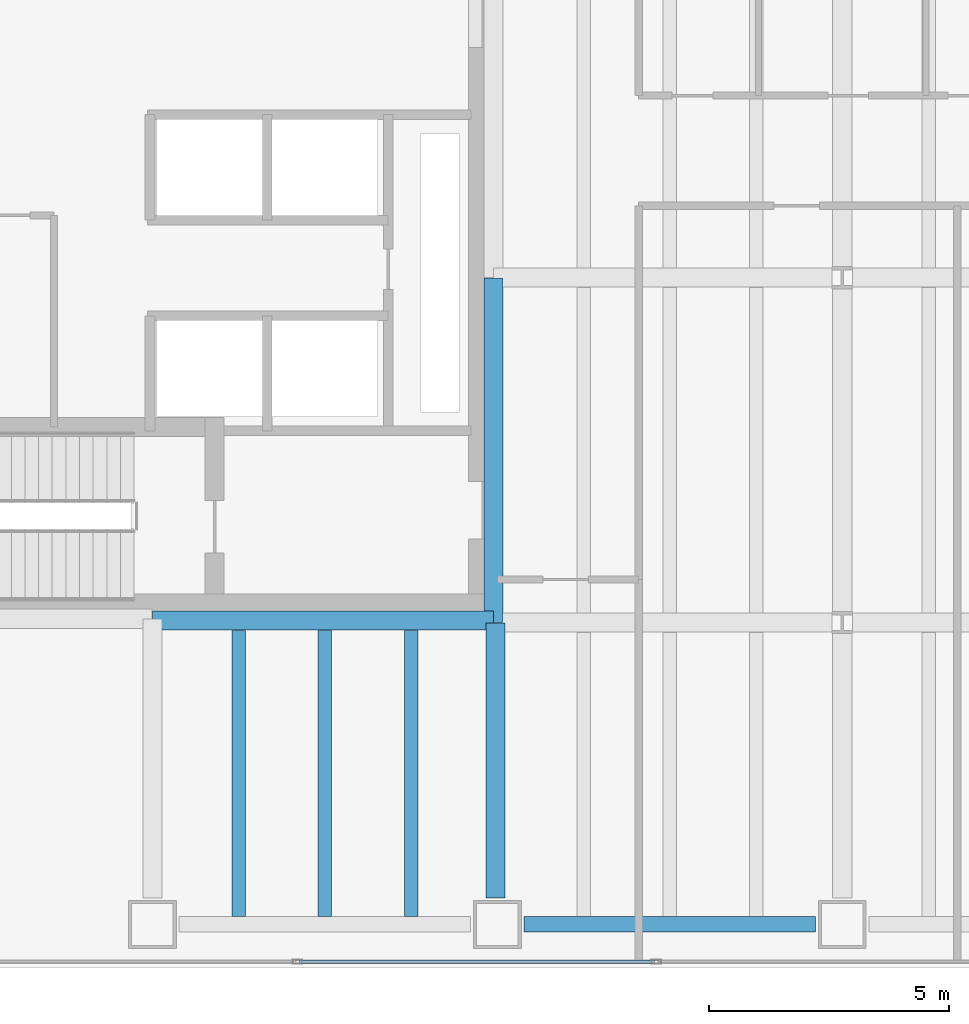
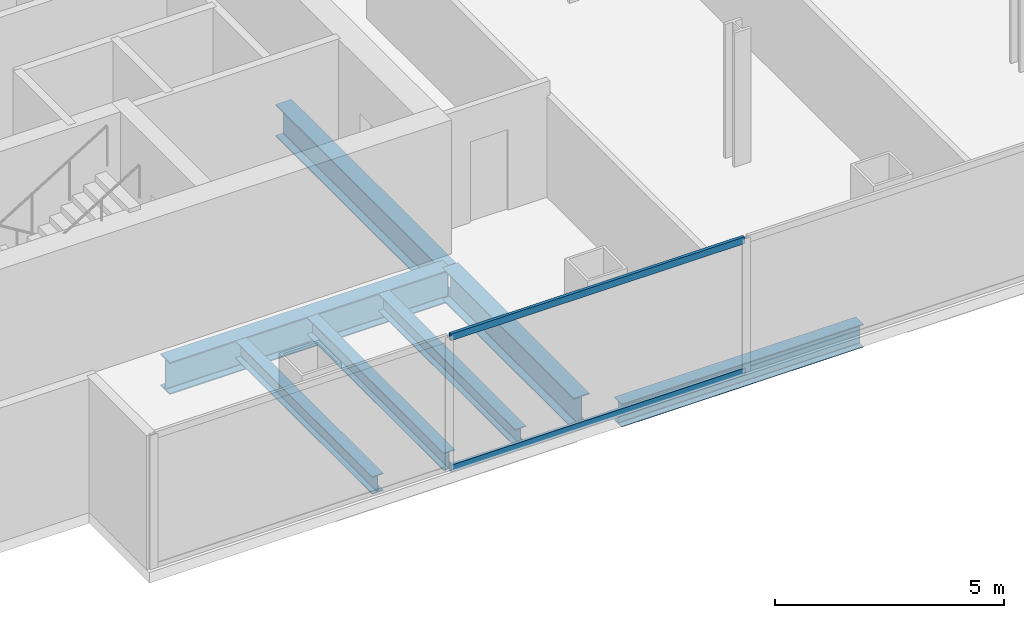
# One storey, part 3 of 25: 7 beams, 2 members, 1 element without a shape of its own.
"""IFC4 building model written with IfcOpenShell, lengths in metres."""

from ifc_helpers import new_model, si_unit, direction, frame, origin, origin_2d, place, context, subcontext, project, spatial, hollow_rectangle, i_section, extrude, material, material_profile, profile_set, type_object, element, aggregate, save


model = new_model("IFC4")

# Units and contexts
model_context = context("Model", 3, precision=1e-05, world=origin(), true_north=direction((0.0, 1.0)))
body_context = subcontext(model_context, "Body", "Model", "MODEL_VIEW")
ifc_project = project(units=[si_unit("LENGTHUNIT", "METRE"), si_unit("AREAUNIT", "SQUARE_METRE"), si_unit("VOLUMEUNIT", "CUBIC_METRE"), si_unit("PLANEANGLEUNIT", "RADIAN"), si_unit("MASSUNIT", "GRAM", prefix="KILO")], contexts=[model_context])

# Site, building, storey
site_placement = place(None, origin())
site = spatial("IfcSite", under=ifc_project, at=site_placement, CompositionType="ELEMENT")
building_placement = place(site_placement, origin())
building = spatial("IfcBuilding", under=site, at=building_placement, Name="Cobrela Telecom Tower", CompositionType="ELEMENT")
storey_placement = place(building_placement, frame((0.0, 0.0, 46.550048828125)))
storey = spatial("IfcBuildingStorey", under=building, at=storey_placement, Name="L11", CompositionType="ELEMENT", Elevation=46.550048828125)

# Beams
ifc_material_1 = material(Name="Steel ASTM A992 Grade 50", Category="steel")
ifc_material_profile_1 = material_profile(ifc_material_1, i_section(OverallWidth=0.39892578125, OverallDepth=0.85595703125, WebThickness=0.018310546875, FlangeThickness=0.029296875, FilletRadius=0.02001953125, at=origin_2d()), Name="W33X201")
ifc_profile_set_1 = profile_set([ifc_material_profile_1], Name="Steel ASTM A992 Grade 50")
beam_type_1 = type_object("IfcBeamType", Name="BM-GIRD-03", PredefinedType="USERDEFINED", material=ifc_profile_set_1)
beam_1_placement = place(storey_placement, frame((7.205078125, 7.239990234375, -0.7080078125), z_axis=(1.0, 0.0, 0.0), x_axis=(0.0, 1.0, 0.0)))
element("IfcBeam", 1, at=beam_1_placement, inside=storey, type_object=beam_type_1, Name="L11 Primary Girder X07", ObjectType="GIRDER", PredefinedType="USERDEFINED", context=body_context, shape_type="SweptSolid", body=[
    extrude(i_section(OverallWidth=0.39892578125, OverallDepth=0.85595703125, WebThickness=0.018310546875, FlangeThickness=0.029296875, FilletRadius=0.02001953125, at=origin_2d()), origin(), (0.0, 0.0, 1.0), 7.10986328125),
])
beam_2_placement = place(storey_placement, frame((14.360107421875, 1.455078125, -0.7080078125), z_axis=(0.0, 1.0, 0.0), x_axis=(-1.0, 0.0, 0.0)))
element("IfcBeam", 2, at=beam_2_placement, inside=storey, type_object=beam_type_1, Name="L11 Primary Girder Y34", ObjectType="GIRDER", PredefinedType="USERDEFINED", context=body_context, shape_type="SweptSolid", body=[
    extrude(i_section(OverallWidth=0.39892578125, OverallDepth=0.85595703125, WebThickness=0.018310546875, FlangeThickness=0.029296875, FilletRadius=0.02001953125, at=origin_2d()), origin(), (0.0, 0.0, 1.0), 5.739990234375),
])
beam_3_placement = place(storey_placement, frame((14.320068359375, 7.205078125, -0.7080078125), z_axis=(0.0, 1.0, 0.0), x_axis=(-1.0, 0.0, 0.0)))
element("IfcBeam", 3, at=beam_3_placement, inside=storey, type_object=beam_type_1, Name="L11 Primary Girder Y35", ObjectType="GIRDER", PredefinedType="USERDEFINED", context=body_context, shape_type="SweptSolid", body=[
    extrude(i_section(OverallWidth=0.39892578125, OverallDepth=0.85595703125, WebThickness=0.018310546875, FlangeThickness=0.029296875, FilletRadius=0.02001953125, at=origin_2d()), origin(), (0.0, 0.0, 1.0), 7.18994140625),
])
ifc_material_profile_2 = material_profile(ifc_material_1, i_section(OverallWidth=0.281982421875, OverallDepth=0.467041015625, WebThickness=0.01220703125, FlangeThickness=0.01953125, FilletRadius=0.012939453125, at=origin_2d()), Name="W18X86")
ifc_profile_set_2 = profile_set([ifc_material_profile_2], Name="Steel ASTM A992 Grade 50")
beam_type_2 = type_object("IfcBeamType", Name="BM-JOIST-02", PredefinedType="JOIST", material=ifc_profile_set_2)
for number, where, z_axis, x_axis, name in (
    (4, (9.0, 1.0673828125, -0.513427734375), (0.0, 1.0, 0.0), (-1.0, 0.0, 0.0), "L11 Secondary Composite Floor Beam J01"),
    (5, (10.800048828125, 1.0673828125, -0.513427734375), (0.0, 1.0, 0.0), (-1.0, 0.0, 0.0), "L11 Secondary Composite Floor Beam J03"),
    (6, (12.60009765625, 1.0673828125, -0.513427734375), (0.0, 1.0, 0.0), (-1.0, 0.0, 0.0), "L11 Secondary Composite Floor Beam J05"),
):
    element("IfcBeam", number, at=place(storey_placement, frame(where, z_axis=z_axis, x_axis=x_axis)), inside=storey, type_object=beam_type_2, Name=name, PredefinedType="JOIST", context=body_context, shape_type="SweptSolid", body=[
        extrude(i_section(OverallWidth=0.281982421875, OverallDepth=0.467041015625, WebThickness=0.01220703125, FlangeThickness=0.01953125, FilletRadius=0.012939453125, at=origin_2d()), origin(), (0.0, 0.0, 1.0), 5.968017578125),
    ])
ifc_material_profile_3 = material_profile(ifc_material_1, i_section(OverallWidth=0.324951171875, OverallDepth=0.612060546875, WebThickness=0.0126953125, FlangeThickness=0.01904296875, FilletRadius=0.014892578125, at=origin_2d()), Name="W24X104")
ifc_profile_set_3 = profile_set([ifc_material_profile_3], Name="Steel ASTM A992 Grade 50")
beam_type_3 = type_object("IfcBeamType", Name="BM-SPAND-02", PredefinedType="SPANDREL", material=ifc_profile_set_3)
beam_4_placement = place(storey_placement, frame((14.955078125, 0.89990234375, -0.5859375), z_axis=(1.0, 0.0, 0.0), x_axis=(0.0, 1.0, 0.0)))
element("IfcBeam", 7, at=beam_4_placement, inside=storey, type_object=beam_type_3, Name="L11 Perimeter Spandrel X02", PredefinedType="SPANDREL", context=body_context, shape_type="SweptSolid", body=[
    extrude(i_section(OverallWidth=0.324951171875, OverallDepth=0.612060546875, WebThickness=0.0126953125, FlangeThickness=0.01904296875, FilletRadius=0.014892578125, at=origin_2d()), origin(), (0.0, 0.0, 1.0), 6.08984375),
])

# Curtain wall, members
ifc_material_2 = material(Name="Anodized Bronze Aluminium 6063-T6", Category="aluminium")
curtain_wall_type = type_object("IfcCurtainWallType", Name="CW-SYS-DATA", PredefinedType="USERDEFINED", material=ifc_material_2)
curtain_wall_placement = place(storey_placement, origin())
curtain_wall = element("IfcCurtainWall", 8, at=curtain_wall_placement, inside=storey, type_object=curtain_wall_type, Name="L11 Unitised Bronze Curtain Wall 17", ObjectType="UNITISED CURTAIN WALL", PredefinedType="USERDEFINED")
ifc_material_profile_4 = material_profile(ifc_material_2, hollow_rectangle(XDim=0.074951171875, YDim=0.179931640625, WallThickness=0.00390625, at=origin_2d()), Name="ALU 75x180x4")
ifc_profile_set_4 = profile_set([ifc_material_profile_4], Name="Anodized Bronze Aluminium 6063-T6")
member_type = type_object("IfcMemberType", Name="CW-SYS-DATA-TRN", PredefinedType="USERDEFINED", material=ifc_profile_set_4)
member_1_placement = place(storey_placement, frame((17.6767578125, 0.1201171875, 0.037353515625), z_axis=(-1.0, 0.0, 0.0), x_axis=(0.0, -1.0, 0.0)))
member_1 = element("IfcMember", 9, at=member_1_placement, type_object=member_type, Name="CW-DATA transom 5.1", ObjectType="TRANSOM", PredefinedType="USERDEFINED", context=body_context, shape_type="SweptSolid", body=[
    extrude(hollow_rectangle(XDim=0.074951171875, YDim=0.179931640625, WallThickness=0.00390625, at=origin_2d()), origin(), (0.0, 0.0, 1.0), 7.4033203125),
])
member_2_placement = place(storey_placement, frame((17.6767578125, 0.1201171875, 3.532470703125), z_axis=(-1.0, 0.0, 0.0), x_axis=(0.0, -1.0, 0.0)))
member_2 = element("IfcMember", 10, at=member_2_placement, type_object=member_type, Name="CW-DATA transom 5.2", ObjectType="TRANSOM", PredefinedType="USERDEFINED", context=body_context, shape_type="SweptSolid", body=[
    extrude(hollow_rectangle(XDim=0.074951171875, YDim=0.179931640625, WallThickness=0.00390625, at=origin_2d()), origin(), (0.0, 0.0, 1.0), 7.4033203125),
])
aggregate(curtain_wall, [member_1, member_2])

save(model, "model.ifc")
